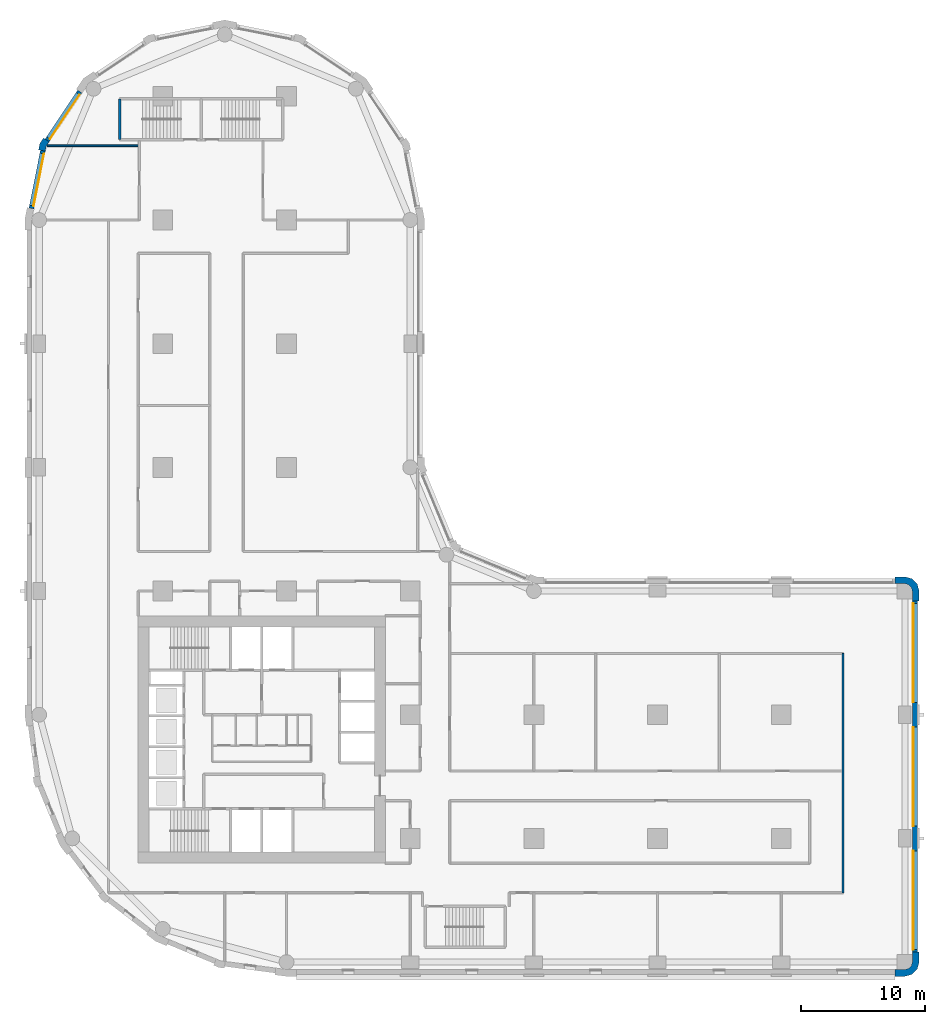
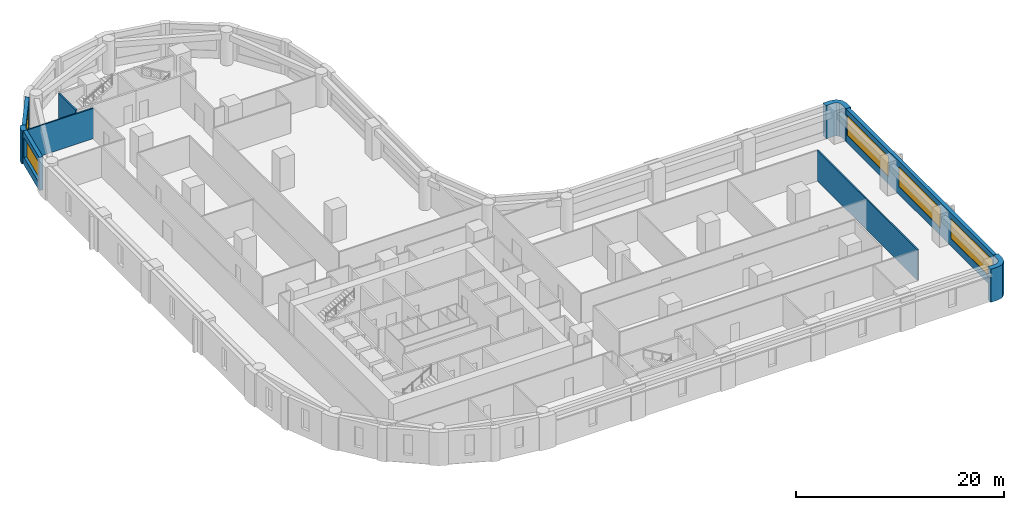
# One storey, part 7 of 11: 9 walls, 5 windows, 5 openings.
"""IFC4 building model written with IfcOpenShell, lengths in metres."""

from ifc_helpers import new_model, si_unit, direction, frame, frame_2d, origin, place, context, subcontext, project, spatial, polyline, rectangle, outline, extrude, material, layer, layer_set, type_object, element, fill, save


model = new_model("IFC4")

# Units and contexts
model_context = context("Model", 3, precision=1e-05, world=origin(), true_north=direction((0.0, 1.0)))
body_context = subcontext(model_context, "Body", "Model", "MODEL_VIEW")
ifc_project = project(units=[si_unit("LENGTHUNIT", "METRE"), si_unit("AREAUNIT", "SQUARE_METRE"), si_unit("VOLUMEUNIT", "CUBIC_METRE"), si_unit("PLANEANGLEUNIT", "RADIAN"), si_unit("MASSUNIT", "GRAM", prefix="KILO")], contexts=[model_context])

# Site, building, storey
site_placement = place(None, origin())
site = spatial("IfcSite", under=ifc_project, at=site_placement, CompositionType="ELEMENT")
building_placement = place(site_placement, origin())
building = spatial("IfcBuilding", under=site, at=building_placement, Name="Qaws Garden Tower", CompositionType="ELEMENT")
storey_placement = place(building_placement, frame((0.0, 0.0, 90.0)))
storey = spatial("IfcBuildingStorey", under=building, at=storey_placement, Name="L22", CompositionType="ELEMENT", Elevation=90.0)

# Walls
ifc_material_1 = material(Name="Clay facing brick masonry", Category="masonry")
ifc_layer_1 = layer(ifc_material_1, 0.550048828125)
ifc_layer_set_1 = layer_set([ifc_layer_1], Name="Clay facing brick masonry")
wall_type_1 = type_object("IfcWallType", Name="Brick corner pier 550 x 2400", PredefinedType="SOLIDWALL", material=ifc_layer_set_1)
placement = place(storey_placement, origin())
element("IfcWall", 1, at=placement, inside=storey, type_object=wall_type_1, Name="E-L22-pier-05", PredefinedType="SOLIDWALL", context=body_context, shape_type="SweptSolid", body=[
    extrude(outline(polyline([(69.199951171875, -1.0), (69.199951171875, -1.14990234375), (70.0, -1.14990234375), (70.574951171875, -0.995849609375), (70.995849609375, -0.574951171875), (71.14990234375, 0.0), (71.14990234375, 0.800048828125), (71.0, 0.800048828125), (70.60009765625, 0.800048828125), (70.60009765625, 0.0), (70.51953125, -0.300048828125), (70.300048828125, -0.51953125), (70.0, -0.60009765625), (69.199951171875, -0.60009765625), (69.199951171875, -1.0)])), origin(), (0.0, 0.0, 1.0), 3.89990234375),
])
element("IfcWall", 2, at=placement, inside=storey, type_object=wall_type_1, Name="E-L22-pier-08", PredefinedType="SOLIDWALL", context=body_context, shape_type="SweptSolid", body=[
    extrude(outline(polyline([(71.0, 29.199951171875), (71.14990234375, 29.199951171875), (71.14990234375, 30.0), (70.995849609375, 30.574951171875), (70.574951171875, 30.995849609375), (70.0, 31.14990234375), (69.199951171875, 31.14990234375), (69.199951171875, 31.0), (69.199951171875, 30.60009765625), (70.0, 30.60009765625), (70.300048828125, 30.51953125), (70.51953125, 30.300048828125), (70.60009765625, 30.0), (70.60009765625, 29.199951171875), (71.0, 29.199951171875)])), origin(), (0.0, 0.0, 1.0), 3.89990234375),
])

# Wall, openings, windows
ifc_material_2 = material(Name="Clay facing brick masonry", Category="masonry")
ifc_layer_2 = layer(ifc_material_2, 0.39990234375)
ifc_layer_set_2 = layer_set([ifc_layer_2], Name="Clay facing brick masonry")
wall_type_2 = type_object("IfcWallType", Name="Brick infill wall 400", PredefinedType="SOLIDWALL", material=ifc_layer_set_2)
wall_3_placement = place(storey_placement, frame((70.800048828125, 0.800048828125, 0.0), z_axis=(0.0, 0.0, 1.0), x_axis=(0.0, 1.0, 0.0)))
wall_3 = element("IfcWall", 3, at=wall_3_placement, inside=storey, type_object=wall_type_2, Name="E-L22-infill-05", PredefinedType="SOLIDWALL", context=body_context, shape_type="SweptSolid", body=[
    extrude(rectangle(XDim=28.39990234375, YDim=0.39990234375, at=frame_2d((14.199951171875, 0.0))), origin(), (0.0, 0.0, 1.0), 3.89990234375),
])
opening_1_placement = place(wall_3_placement, frame((0.199951171875, 0.0, 0.89990234375)))
opening_1 = element("IfcOpeningElement", 4, at=opening_1_placement, cuts=wall_3, Name="Opening W01", PredefinedType="OPENING", context=body_context, shape_type="SweptSolid", body=[
    extrude(rectangle(XDim=8.0, YDim=2.35009765625, at=frame_2d((4.0, 1.175048828125))), frame((0.0, 0.2099609375, 0.0), z_axis=(0.0, -1.0, 0.0), x_axis=(1.0, 0.0, 0.0)), (0.0, 0.0, 1.0), 0.419921875),
])
opening_2_placement = place(wall_3_placement, frame((10.199951171875, 0.0, 0.89990234375)))
opening_2 = element("IfcOpeningElement", 5, at=opening_2_placement, cuts=wall_3, Name="Opening W01", PredefinedType="OPENING", context=body_context, shape_type="SweptSolid", body=[
    extrude(rectangle(XDim=8.0, YDim=2.35009765625, at=frame_2d((4.0, 1.175048828125))), frame((0.0, 0.2099609375, 0.0), z_axis=(0.0, -1.0, 0.0), x_axis=(1.0, 0.0, 0.0)), (0.0, 0.0, 1.0), 0.419921875),
])
opening_3_placement = place(wall_3_placement, frame((20.199951171875, 0.0, 0.89990234375)))
opening_3 = element("IfcOpeningElement", 6, at=opening_3_placement, cuts=wall_3, Name="Opening W01", PredefinedType="OPENING", context=body_context, shape_type="SweptSolid", body=[
    extrude(rectangle(XDim=8.0, YDim=2.35009765625, at=frame_2d((4.0, 1.175048828125))), frame((0.0, 0.2099609375, 0.0), z_axis=(0.0, -1.0, 0.0), x_axis=(1.0, 0.0, 0.0)), (0.0, 0.0, 1.0), 0.419921875),
])
ifc_material_3 = material(Name="Aluminium framed window, clear glazing", Category="aluminium")
window_type_1 = type_object("IfcWindowType", Name="Ribbon window 8000 x 2350", PartitioningType="DOUBLE_PANEL_VERTICAL", PredefinedType="WINDOW", material=ifc_material_3)
window_1_placement = place(opening_1_placement, origin())
window_1 = element("IfcWindow", 7, at=window_1_placement, inside=storey, type_object=window_type_1, Name="E-L22-window-05-0", OverallHeight=2.35009765625, OverallWidth=8.0, PartitioningType="SINGLE_PANEL", PredefinedType="WINDOW", context=body_context, shape_type="SweptSolid", body=[
    extrude(rectangle(XDim=8.0, YDim=2.35009765625, at=frame_2d((4.0, 1.175048828125))), frame((0.0, 0.159912109375, 0.0), z_axis=(0.0, -1.0, 0.0), x_axis=(1.0, 0.0, 0.0)), (0.0, 0.0, 1.0), 0.06005859375),
])
fill(opening_1, window_1)
window_2_placement = place(opening_2_placement, origin())
window_2 = element("IfcWindow", 8, at=window_2_placement, inside=storey, type_object=window_type_1, Name="E-L22-window-06-0", OverallHeight=2.35009765625, OverallWidth=8.0, PartitioningType="SINGLE_PANEL", PredefinedType="WINDOW", context=body_context, shape_type="SweptSolid", body=[
    extrude(rectangle(XDim=8.0, YDim=2.35009765625, at=frame_2d((4.0, 1.175048828125))), frame((0.0, 0.159912109375, 0.0), z_axis=(0.0, -1.0, 0.0), x_axis=(1.0, 0.0, 0.0)), (0.0, 0.0, 1.0), 0.06005859375),
])
fill(opening_2, window_2)
window_3_placement = place(opening_3_placement, origin())
window_3 = element("IfcWindow", 9, at=window_3_placement, inside=storey, type_object=window_type_1, Name="E-L22-window-07-0", OverallHeight=2.35009765625, OverallWidth=8.0, PartitioningType="SINGLE_PANEL", PredefinedType="WINDOW", context=body_context, shape_type="SweptSolid", body=[
    extrude(rectangle(XDim=8.0, YDim=2.35009765625, at=frame_2d((4.0, 1.175048828125))), frame((0.0, 0.159912109375, 0.0), z_axis=(0.0, -1.0, 0.0), x_axis=(1.0, 0.0, 0.0)), (0.0, 0.0, 1.0), 0.06005859375),
])
fill(opening_3, window_3)

# Wall, opening, window
wall_4_placement = place(storey_placement, frame((3.28369140625, 70.385986328125, 0.0), z_axis=(0.0, 0.0, 1.0), x_axis=(-0.555541552266, -0.831488775454, 0.0)))
wall_4 = element("IfcWall", 10, at=wall_4_placement, inside=storey, type_object=wall_type_2, Name="E-L22-infill-21", PredefinedType="SOLIDWALL", context=body_context, shape_type="SweptSolid", body=[
    extrude(rectangle(XDim=4.752685546875, YDim=0.39990234375, at=frame_2d((2.37646484375, 0.0))), origin(), (0.0, 0.0, 1.0), 3.89990234375),
])
opening_4_placement = place(wall_4_placement, frame((0.226318359375, 0.0, 0.89990234375)))
opening_4 = element("IfcOpeningElement", 11, at=opening_4_placement, cuts=wall_4, Name="Opening W06", PredefinedType="OPENING", context=body_context, shape_type="SweptSolid", body=[
    extrude(rectangle(XDim=4.300048828125, YDim=2.35009765625, at=frame_2d((2.14990234375, 1.175048828125))), frame((0.0, 0.2099609375, 0.0), z_axis=(0.0, -1.0, 0.0), x_axis=(1.0, 0.0, 0.0)), (0.0, 0.0, 1.0), 0.419921875),
])
ifc_material_4 = material(Name="Aluminium framed window, clear glazing", Category="aluminium")
window_type_2 = type_object("IfcWindowType", Name="Ribbon window 4300 x 2350", PartitioningType="DOUBLE_PANEL_VERTICAL", PredefinedType="WINDOW", material=ifc_material_4)
window_4_placement = place(opening_4_placement, origin())
window_4 = element("IfcWindow", 12, at=window_4_placement, inside=storey, type_object=window_type_2, Name="E-L22-window-21-0", OverallHeight=2.35009765625, OverallWidth=4.300048828125, PartitioningType="SINGLE_PANEL", PredefinedType="WINDOW", context=body_context, shape_type="SweptSolid", body=[
    extrude(rectangle(XDim=4.300048828125, YDim=2.35009765625, at=frame_2d((2.14990234375, 1.175048828125))), frame((0.0, 0.159912109375, 0.0), z_axis=(0.0, -1.0, 0.0), x_axis=(1.0, 0.0, 0.0)), (0.0, 0.0, 1.0), 0.06005859375),
])
fill(opening_4, window_4)

wall_5_placement = place(storey_placement, frame((0.298583984375, 65.60205078125, 0.0), z_axis=(0.0, 0.0, 1.0), x_axis=(-0.195098533057, -0.98078364709, 0.0)))
wall_5 = element("IfcWall", 13, at=wall_5_placement, inside=storey, type_object=wall_type_2, Name="E-L22-infill-22", PredefinedType="SOLIDWALL", context=body_context, shape_type="SweptSolid", body=[
    extrude(rectangle(XDim=4.752685546875, YDim=0.39990234375, at=frame_2d((2.37646484375, 0.0))), origin(), (0.0, 0.0, 1.0), 3.89990234375),
])
opening_5_placement = place(wall_5_placement, frame((0.226318359375, 0.0, 0.89990234375)))
opening_5 = element("IfcOpeningElement", 14, at=opening_5_placement, cuts=wall_5, Name="Opening W06", PredefinedType="OPENING", context=body_context, shape_type="SweptSolid", body=[
    extrude(rectangle(XDim=4.300048828125, YDim=2.35009765625, at=frame_2d((2.14990234375, 1.175048828125))), frame((0.0, 0.2099609375, 0.0), z_axis=(0.0, -1.0, 0.0), x_axis=(1.0, 0.0, 0.0)), (0.0, 0.0, 1.0), 0.419921875),
])
window_5_placement = place(opening_5_placement, origin())
window_5 = element("IfcWindow", 15, at=window_5_placement, inside=storey, type_object=window_type_2, Name="E-L22-window-22-0", OverallHeight=2.35009765625, OverallWidth=4.300048828125, PartitioningType="SINGLE_PANEL", PredefinedType="WINDOW", context=body_context, shape_type="SweptSolid", body=[
    extrude(rectangle(XDim=4.300048828125, YDim=2.35009765625, at=frame_2d((2.14990234375, 1.175048828125))), frame((0.0, 0.159912109375, 0.0), z_axis=(0.0, -1.0, 0.0), x_axis=(1.0, 0.0, 0.0)), (0.0, 0.0, 1.0), 0.06005859375),
])
fill(opening_5, window_5)

# Walls
ifc_material_5 = material(Name="Clay facing brick masonry", Category="masonry")
ifc_layer_3 = layer(ifc_material_5, 0.550048828125)
ifc_layer_set_3 = layer_set([ifc_layer_3], Name="Clay facing brick masonry")
wall_type_3 = type_object("IfcWallType", Name="Brick kink pier 550 x 600", PredefinedType="SOLIDWALL", material=ifc_layer_set_3)
element("IfcWall", 16, at=placement, inside=storey, type_object=wall_type_3, Name="E-L22-pier-22", PredefinedType="SOLIDWALL", context=body_context, shape_type="SweptSolid", body=[
    extrude(outline(polyline([(0.47705078125, 66.545166015625), (0.352294921875, 66.628662109375), (0.05859375, 66.18896484375), (-0.044677734375, 65.67041015625), (0.1025390625, 65.64111328125), (0.494873046875, 65.56298828125), (0.57666015625, 65.974365234375), (0.8095703125, 66.322998046875), (0.47705078125, 66.545166015625)])), origin(), (0.0, 0.0, 1.0), 3.89990234375),
])
ifc_material_6 = material(Name="Concrete C80", Category="concrete")
ifc_layer_4 = layer(ifc_material_6, 0.199951171875)
ifc_layer_set_4 = layer_set([ifc_layer_4], Name="Concrete C80")
wall_type_4 = type_object("IfcWallType", Name="Core shaft wall 200 C80", PredefinedType="SHEAR", material=ifc_layer_set_4)
wall_7_placement = place(storey_placement, frame((6.5, 66.5, 0.0), z_axis=(0.0, 0.0, 1.0), x_axis=(0.0, 1.0, 0.0)))
element("IfcWall", 17, at=wall_7_placement, inside=storey, type_object=wall_type_4, Name="Shaft wall", PredefinedType="SHEAR", context=body_context, shape_type="SweptSolid", body=[
    extrude(rectangle(XDim=3.300048828125, YDim=0.199951171875, at=frame_2d((1.64990234375, 0.0))), origin(), (0.0, 0.0, 1.0), 3.580078125),
])
ifc_material_7 = material(Name="Gypsum board partition")
ifc_layer_5 = layer(ifc_material_7, 0.14990234375)
ifc_layer_set_5 = layer_set([ifc_layer_5], Name="Gypsum board partition")
wall_type_5 = type_object("IfcWallType", Name="PARTITION 150 EI 60", PredefinedType="PARTITIONING", material=ifc_layer_set_5)
wall_8_placement = place(storey_placement, frame((65.0, 5.60009765625, 0.0), z_axis=(0.0, 0.0, 1.0), x_axis=(0.0, 1.0, 0.0)))
element("IfcWall", 18, at=wall_8_placement, inside=storey, type_object=wall_type_5, Name="O-L22-wall-032", PredefinedType="PARTITIONING", context=body_context, shape_type="SweptSolid", body=[
    extrude(rectangle(XDim=19.349853515625, YDim=0.14990234375, at=frame_2d((9.6748046875, 0.0))), origin(), (0.0, 0.0, 1.0), 3.580078125),
])
wall_9_placement = place(storey_placement, frame((0.643798828125, 66.0, 0.0), z_axis=(0.0, 0.0, 1.0), x_axis=(1.0, 0.0, 0.0)))
element("IfcWall", 19, at=wall_9_placement, inside=storey, type_object=wall_type_5, Name="O-L22-wall-059", PredefinedType="PARTITIONING", context=body_context, shape_type="SweptSolid", body=[
    extrude(rectangle(XDim=7.456298828125, YDim=0.14990234375, at=frame_2d((3.72802734375, 0.0))), origin(), (0.0, 0.0, 1.0), 3.580078125),
])

save(model, "model.ifc")
